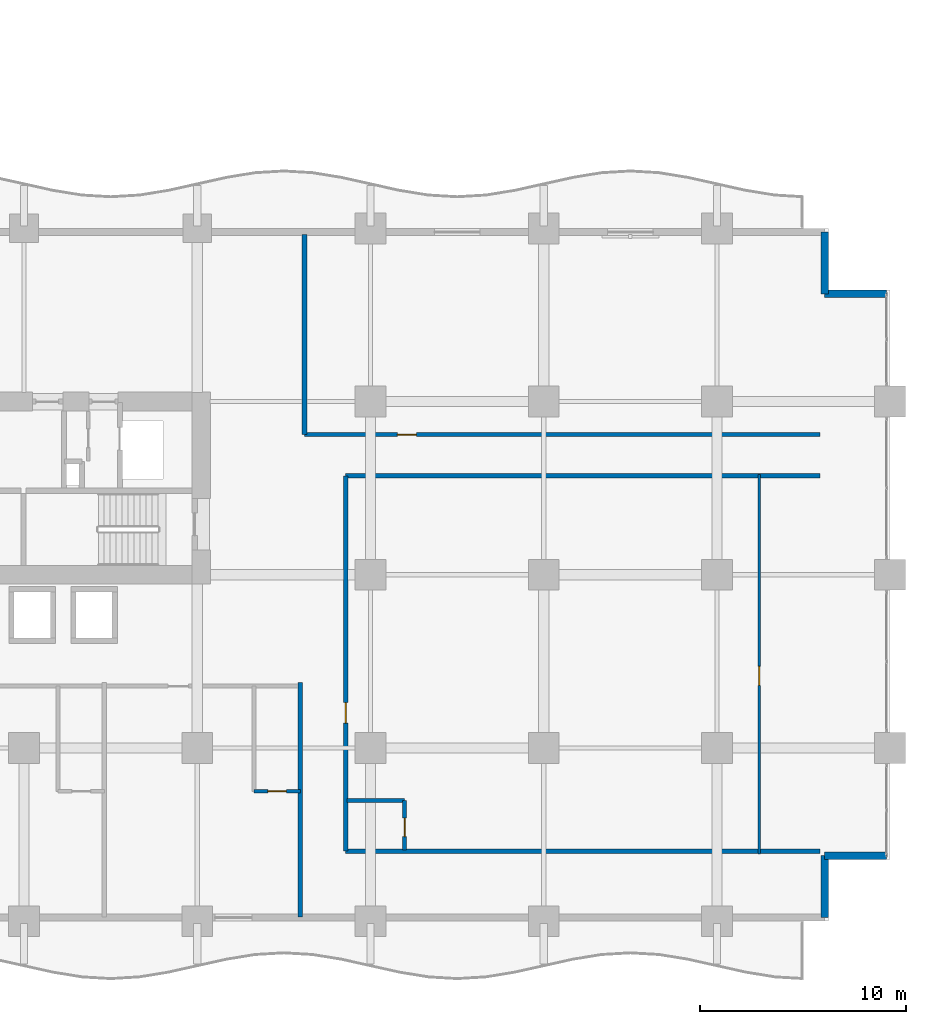
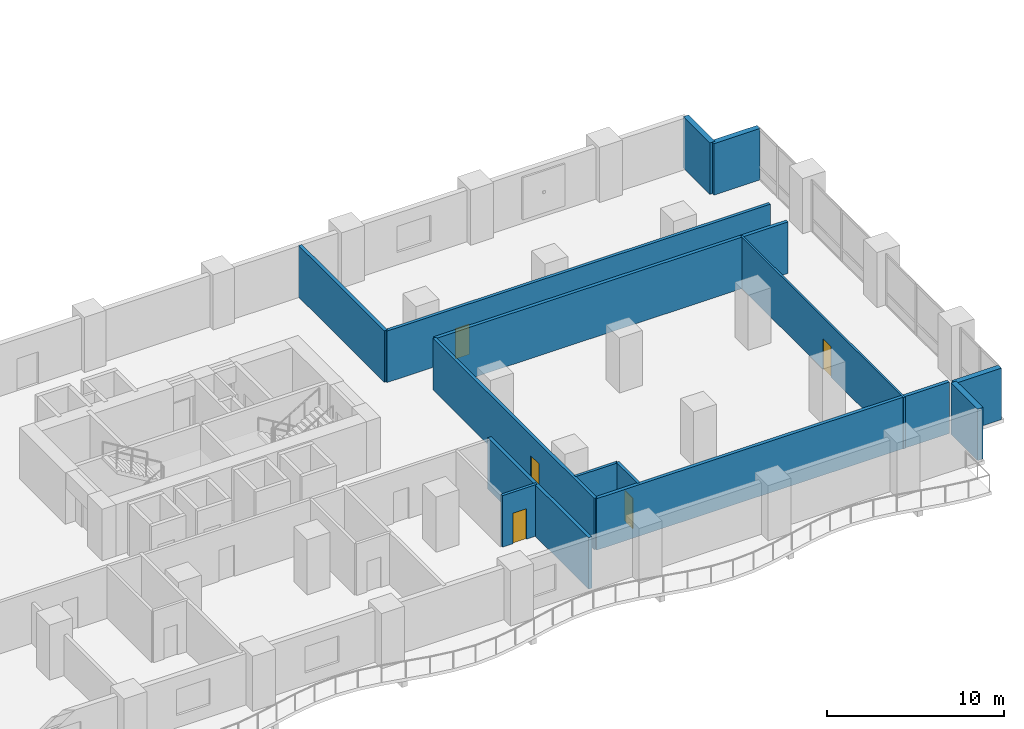
# One storey, part 17 of 27: 14 walls, 5 doors, 5 openings.
"""IFC4 building model written with IfcOpenShell, lengths in metres."""

from ifc_helpers import new_model, si_unit, direction, frame, frame_2d, origin, place, context, subcontext, project, spatial, rectangle, extrude, material, layer, layer_set, type_object, element, fill, save


model = new_model("IFC4")

# Units and contexts
model_context = context("Model", 3, precision=1e-05, world=origin(), true_north=direction((0.0, 1.0)))
body_context = subcontext(model_context, "Body", "Model", "MODEL_VIEW")
ifc_project = project(units=[si_unit("LENGTHUNIT", "METRE"), si_unit("AREAUNIT", "SQUARE_METRE"), si_unit("VOLUMEUNIT", "CUBIC_METRE"), si_unit("PLANEANGLEUNIT", "RADIAN"), si_unit("MASSUNIT", "GRAM", prefix="KILO")], contexts=[model_context])

# Site, building, storey
site_placement = place(None, origin())
site = spatial("IfcSite", under=ifc_project, at=site_placement, CompositionType="ELEMENT")
building_placement = place(site_placement, origin())
building = spatial("IfcBuilding", under=site, at=building_placement, Name="Koriwani Terraces Tower", CompositionType="ELEMENT")
storey_placement = place(building_placement, frame((0.0, 0.0, 54.800048828125)))
storey = spatial("IfcBuildingStorey", under=building, at=storey_placement, Name="L12", CompositionType="ELEMENT", Elevation=54.800048828125)

# Wall, opening, door
ifc_material_1 = material(Name="Autoclaved Cellular Concrete Blockwork", Category="masonry")
ifc_layer_1 = layer(ifc_material_1, 0.199951171875, Name="Autoclaved Cellular Concrete Blockwork")
ifc_layer_set_1 = layer_set([ifc_layer_1], Name="Autoclaved Cellular Concrete Blockwork")
wall_type_1 = type_object("IfcWallType", Name="WALL_CORRIDOR_200", PredefinedType="PARTITIONING", material=ifc_layer_set_1)
wall_1_placement = place(storey_placement, frame((66.0, 3.39990234375, 0.0), z_axis=(0.0, 0.0, 1.0), x_axis=(0.0, 1.0, 0.0)))
wall_1 = element("IfcWall", 1, at=wall_1_placement, inside=storey, type_object=wall_type_1, Name="L12 Interior Wall WGB-L12-ETIP-W", PredefinedType="PARTITIONING", context=body_context, shape_type="SweptSolid", body=[
    extrude(rectangle(XDim=18.2001953125, YDim=0.199951171875, at=frame_2d((9.10009765625, 0.0))), origin(), (0.0, 0.0, 1.0), 3.550048828125),
])
opening_1_placement = place(wall_1_placement, frame((6.199951171875, 0.0, 0.0)))
opening_1 = element("IfcOpeningElement", 2, at=opening_1_placement, cuts=wall_1, Name="Opening D-05", PredefinedType="OPENING", context=body_context, shape_type="SweptSolid", body=[
    extrude(rectangle(XDim=1.0, YDim=2.14990234375, at=frame_2d((0.5, 1.074951171875))), frame((0.0, 0.10986328125, 0.0), z_axis=(0.0, -1.0, 0.0), x_axis=(1.0, 0.0, 0.0)), (0.0, 0.0, 1.0), 0.219970703125),
])
ifc_material_2 = material(Name="Architectural Oak Fire Door", Category="wood")
door_type_1 = type_object("IfcDoorType", Name="DOOR_SUITE_ENTRY_1000X2150", OperationType="NOTDEFINED", PredefinedType="DOOR", material=ifc_material_2)
door_1_placement = place(opening_1_placement, origin())
door_1 = element("IfcDoor", 3, at=door_1_placement, inside=storey, type_object=door_type_1, Name="Ambassador Wing Suite 12E Entrance Door", OperationType="SINGLE_SWING_RIGHT", OverallHeight=2.14990234375, OverallWidth=1.0, PredefinedType="DOOR", context=body_context, shape_type="SweptSolid", body=[
    extrude(rectangle(XDim=1.0, YDim=2.14990234375, at=frame_2d((0.5, 1.074951171875))), frame((0.0, 0.02490234375, 0.0), z_axis=(0.0, -1.0, 0.0), x_axis=(1.0, 0.0, 0.0)), (0.0, 0.0, 1.0), 0.050048828125),
])
fill(opening_1, door_1)

wall_2_placement = place(storey_placement, frame((64.0, 23.60009765625, 0.0), z_axis=(0.0, 0.0, 1.0), x_axis=(1.0, 0.0, 0.0)))
wall_2 = element("IfcWall", 4, at=wall_2_placement, inside=storey, type_object=wall_type_1, Name="L12 Interior Wall WETIP2-S-L12", PredefinedType="PARTITIONING", context=body_context, shape_type="SweptSolid", body=[
    extrude(rectangle(XDim=25.0, YDim=0.199951171875, at=frame_2d((12.5, 0.0))), origin(), (0.0, 0.0, 1.0), 3.550048828125),
])
opening_2_placement = place(wall_2_placement, frame((4.5, 0.0, 0.0)))
opening_2 = element("IfcOpeningElement", 5, at=opening_2_placement, cuts=wall_2, Name="Opening D-06", PredefinedType="OPENING", context=body_context, shape_type="SweptSolid", body=[
    extrude(rectangle(XDim=0.919921875, YDim=2.10009765625, at=frame_2d((0.4599609375, 1.050048828125))), frame((0.0, 0.10986328125, 0.0), z_axis=(0.0, -1.0, 0.0), x_axis=(1.0, 0.0, 0.0)), (0.0, 0.0, 1.0), 0.219970703125),
])
door_type_2 = type_object("IfcDoorType", Name="DOOR_ROOM_INT_920X2100", OperationType="NOTDEFINED", PredefinedType="DOOR", material=ifc_material_2)
door_2_placement = place(opening_2_placement, origin())
door_2 = element("IfcDoor", 6, at=door_2_placement, inside=storey, type_object=door_type_2, Name="L12 East Panorama Salon Door", OperationType="SINGLE_SWING_LEFT", OverallHeight=2.10009765625, OverallWidth=0.919921875, PredefinedType="DOOR", context=body_context, shape_type="SweptSolid", body=[
    extrude(rectangle(XDim=0.919921875, YDim=2.10009765625, at=frame_2d((0.4599609375, 1.050048828125))), frame((0.0, 0.02490234375, 0.0), z_axis=(0.0, -1.0, 0.0), x_axis=(1.0, 0.0, 0.0)), (0.0, 0.0, 1.0), 0.050048828125),
])
fill(opening_2, door_2)

# Walls
ifc_layer_2 = layer(ifc_material_1, 0.219970703125, Name="Autoclaved Cellular Concrete Blockwork")
ifc_layer_set_2 = layer_set([ifc_layer_2], Name="Autoclaved Cellular Concrete Blockwork")
wall_type_2 = type_object("IfcWallType", Name="WALL_DEMISING_220", PredefinedType="PARTITIONING", material=ifc_layer_set_2)
wall_3_placement = place(storey_placement, frame((63.800048828125, 0.199951171875, 0.0), z_axis=(0.0, 0.0, 1.0), x_axis=(0.0, 1.0, 0.0)))
element("IfcWall", 7, at=wall_3_placement, inside=storey, type_object=wall_type_2, Name="L12 Interior Wall WDEME-L12-SW", PredefinedType="PARTITIONING", context=body_context, shape_type="SweptSolid", body=[
    extrude(rectangle(XDim=11.380126953125, YDim=0.219970703125, at=frame_2d((5.68994140625, 0.0))), origin(), (0.0, 0.0, 1.0), 3.550048828125),
])
for number, where, z_axis, x_axis, name in (
    (8, (66.0, 3.39990234375, 0.0), (0.0, 0.0, 1.0), (1.0, 0.0, 0.0), "L12 Interior Wall WGB-L12-ETIP-S"),
    (9, (66.0, 21.60009765625, 0.0), (0.0, 0.0, 1.0), (1.0, 0.0, 0.0), "L12 Interior Wall WGB-L12-ETIP-N"),
):
    element("IfcWall", number, at=place(storey_placement, frame(where, z_axis=z_axis, x_axis=x_axis)), inside=storey, type_object=wall_type_2, Name=name, PredefinedType="PARTITIONING", context=body_context, shape_type="SweptSolid", body=[
        extrude(rectangle(XDim=23.0, YDim=0.219970703125, at=frame_2d((11.5, 0.0))), origin(), (0.0, 0.0, 1.0), 3.550048828125),
    ])
wall_4_placement = place(storey_placement, frame((64.0, 23.60009765625, 0.0), z_axis=(0.0, 0.0, 1.0), x_axis=(0.0, 1.0, 0.0)))
element("IfcWall", 10, at=wall_4_placement, inside=storey, type_object=wall_type_2, Name="L12 Interior Wall WETIP2-W-L12", PredefinedType="PARTITIONING", context=body_context, shape_type="SweptSolid", body=[
    extrude(rectangle(XDim=9.699951171875, YDim=0.219970703125, at=frame_2d((4.85009765625, 0.0))), origin(), (0.0, 0.0, 1.0), 3.550048828125),
])
ifc_material_3 = material(Name="Concrete C50/60", Category="concrete")
ifc_layer_3 = layer(ifc_material_3, 0.35009765625, Name="Concrete C50/60")
ifc_layer_set_3 = layer_set([ifc_layer_3], Name="Concrete C50/60")
wall_type_3 = type_object("IfcWallType", Name="WALL_EXT_BRUTALIST_350", PredefinedType="STANDARD", material=ifc_layer_set_3)
for number, where, z_axis, x_axis, name in (
    (11, (89.22509765625, 33.425048828125, 0.0), (0.0, 0.0, 1.0), (0.0, -1.0, 0.0), "L12 Fair-Faced Brutalist Exterior Wall (N10)"),
    (12, (89.22509765625, 30.425048828125, 0.0), (0.0, 0.0, 1.0), (1.0, 0.0, 0.0), "L12 Fair-Faced Brutalist Exterior Wall (N11)"),
    (13, (92.22509765625, 3.175048828125, 0.0), (0.0, 0.0, 1.0), (-1.0, 0.0, 0.0), "L12 Fair-Faced Brutalist Exterior Wall (N13)"),
    (14, (89.22509765625, 3.175048828125, 0.0), (0.0, 0.0, 1.0), (0.0, -1.0, 0.0), "L12 Fair-Faced Brutalist Exterior Wall (N14)"),
):
    element("IfcWall", number, at=place(storey_placement, frame(where, z_axis=z_axis, x_axis=x_axis)), inside=storey, type_object=wall_type_3, Name=name, PredefinedType="STANDARD", context=body_context, shape_type="SweptSolid", body=[
        extrude(rectangle(XDim=3.0, YDim=0.35009765625, at=frame_2d((1.5, 0.0))), origin(), (0.0, 0.0, 1.0), 3.550048828125),
    ])

# Wall, opening, door
ifc_material_4 = material(Name="Fire-Rated Acoustic Gypsum Partition", Category="masonry")
ifc_layer_4 = layer(ifc_material_4, 0.125, Name="Fire-Rated Acoustic Gypsum Partition")
ifc_layer_set_4 = layer_set([ifc_layer_4], Name="Fire-Rated Acoustic Gypsum Partition")
wall_type_4 = type_object("IfcWallType", Name="WALL_INT_125", PredefinedType="PARTITIONING", material=ifc_layer_set_4)
wall_5_placement = place(storey_placement, frame((86.050048828125, 3.25, 0.0), z_axis=(0.0, 0.0, 1.0), x_axis=(0.0, 1.0, 0.0)))
wall_5 = element("IfcWall", 15, at=wall_5_placement, inside=storey, type_object=wall_type_4, Name="L12 Interior Wall WGB-L12-ETIP-BD", PredefinedType="PARTITIONING", context=body_context, shape_type="SweptSolid", body=[
    extrude(rectangle(XDim=18.39990234375, YDim=0.125, at=frame_2d((9.199951171875, 0.0))), origin(), (0.0, 0.0, 1.0), 3.550048828125),
])
opening_3_placement = place(wall_5_placement, frame((8.18994140625, 0.0, 0.0)))
opening_3 = element("IfcOpeningElement", 16, at=opening_3_placement, cuts=wall_5, Name="Opening D-06", PredefinedType="OPENING", context=body_context, shape_type="SweptSolid", body=[
    extrude(rectangle(XDim=0.919921875, YDim=2.10009765625, at=frame_2d((0.4599609375, 1.050048828125))), frame((0.0, 0.072509765625, 0.0), z_axis=(0.0, -1.0, 0.0), x_axis=(1.0, 0.0, 0.0)), (0.0, 0.0, 1.0), 0.14501953125),
])
door_3_placement = place(opening_3_placement, origin())
door_3 = element("IfcDoor", 17, at=door_3_placement, inside=storey, type_object=door_type_2, Name="Ambassador Wing Suite 12E Master Suite Door", OperationType="SINGLE_SWING_RIGHT", OverallHeight=2.10009765625, OverallWidth=0.919921875, PredefinedType="DOOR", context=body_context, shape_type="SweptSolid", body=[
    extrude(rectangle(XDim=0.919921875, YDim=2.10009765625, at=frame_2d((0.4599609375, 1.050048828125))), frame((0.0, 0.02490234375, 0.0), z_axis=(0.0, -1.0, 0.0), x_axis=(1.0, 0.0, 0.0)), (0.0, 0.0, 1.0), 0.050048828125),
])
fill(opening_3, door_3)

ifc_layer_5 = layer(ifc_material_4, 0.179931640625, Name="Fire-Rated Acoustic Gypsum Partition")
ifc_layer_set_5 = layer_set([ifc_layer_5], Name="Fire-Rated Acoustic Gypsum Partition")
wall_type_5 = type_object("IfcWallType", Name="WALL_PLUMBING_180", PredefinedType="PLUMBINGWALL", material=ifc_layer_set_5)
wall_6_placement = place(storey_placement, frame((61.550048828125, 6.300048828125, 0.0), z_axis=(0.0, 0.0, 1.0), x_axis=(1.0, 0.0, 0.0)))
wall_6 = element("IfcWall", 18, at=wall_6_placement, inside=storey, type_object=wall_type_5, Name="L12 Interior Wall WBTH1-L12-SW-4", PredefinedType="PLUMBINGWALL", context=body_context, shape_type="SweptSolid", body=[
    extrude(rectangle(XDim=2.25, YDim=0.179931640625, at=frame_2d((1.125, 0.0))), origin(), (0.0, 0.0, 1.0), 3.550048828125),
])
opening_4_placement = place(wall_6_placement, frame((0.675048828125, 0.0, 0.0)))
opening_4 = element("IfcOpeningElement", 19, at=opening_4_placement, cuts=wall_6, Name="Opening D-07", PredefinedType="OPENING", context=body_context, shape_type="SweptSolid", body=[
    extrude(rectangle(XDim=0.89990234375, YDim=2.10009765625, at=frame_2d((0.449951171875, 1.050048828125))), frame((0.0, 0.10009765625, 0.0), z_axis=(0.0, -1.0, 0.0), x_axis=(1.0, 0.0, 0.0)), (0.0, 0.0, 1.0), 0.199951171875),
])
door_type_3 = type_object("IfcDoorType", Name="DOOR_BATH_INT_900X2100", OperationType="NOTDEFINED", PredefinedType="DOOR", material=ifc_material_2)
door_4_placement = place(opening_4_placement, origin())
door_4 = element("IfcDoor", 20, at=door_4_placement, inside=storey, type_object=door_type_3, Name="En-Suite Bathroom 12SW5 Door", OperationType="SINGLE_SWING_LEFT", OverallHeight=2.10009765625, OverallWidth=0.89990234375, PredefinedType="DOOR", context=body_context, shape_type="SweptSolid", body=[
    extrude(rectangle(XDim=0.89990234375, YDim=2.10009765625, at=frame_2d((0.449951171875, 1.050048828125))), frame((0.0, 0.02490234375, 0.0), z_axis=(0.0, -1.0, 0.0), x_axis=(1.0, 0.0, 0.0)), (0.0, 0.0, 1.0), 0.050048828125),
])
fill(opening_4, door_4)

wall_7_placement = place(storey_placement, frame((68.85009765625, 3.449951171875, 0.0), z_axis=(0.0, 0.0, 1.0), x_axis=(0.0, 1.0, 0.0)))
wall_7 = element("IfcWall", 21, at=wall_7_placement, inside=storey, type_object=wall_type_5, Name="L12 Interior Wall WGB-L12-ETIP-SVB", PredefinedType="PLUMBINGWALL", context=body_context, shape_type="SweptSolid", body=[
    extrude(rectangle(XDim=2.400146484375, YDim=0.179931640625, at=frame_2d((1.2001953125, 0.0))), origin(), (0.0, 0.0, 1.0), 3.550048828125),
])
opening_5_placement = place(wall_7_placement, frame((0.64990234375, 0.0, 0.0)))
opening_5 = element("IfcOpeningElement", 22, at=opening_5_placement, cuts=wall_7, Name="Opening D-07", PredefinedType="OPENING", context=body_context, shape_type="SweptSolid", body=[
    extrude(rectangle(XDim=0.89990234375, YDim=2.10009765625, at=frame_2d((0.449951171875, 1.050048828125))), frame((0.0, 0.10009765625, 0.0), z_axis=(0.0, -1.0, 0.0), x_axis=(1.0, 0.0, 0.0)), (0.0, 0.0, 1.0), 0.199951171875),
])
door_5_placement = place(opening_5_placement, origin())
door_5 = element("IfcDoor", 23, at=door_5_placement, inside=storey, type_object=door_type_3, Name="Ambassador Wing Suite 12E Bathroom Door", OperationType="SINGLE_SWING_LEFT", OverallHeight=2.10009765625, OverallWidth=0.89990234375, PredefinedType="DOOR", context=body_context, shape_type="SweptSolid", body=[
    extrude(rectangle(XDim=0.89990234375, YDim=2.10009765625, at=frame_2d((0.449951171875, 1.050048828125))), frame((0.0, 0.02490234375, 0.0), z_axis=(0.0, -1.0, 0.0), x_axis=(1.0, 0.0, 0.0)), (0.0, 0.0, 1.0), 0.050048828125),
])
fill(opening_5, door_5)

# Wall
wall_8_placement = place(storey_placement, frame((66.050048828125, 5.85009765625, 0.0), z_axis=(0.0, 0.0, 1.0), x_axis=(1.0, 0.0, 0.0)))
element("IfcWall", 24, at=wall_8_placement, inside=storey, type_object=wall_type_5, Name="L12 Interior Wall WGB-L12-ETIP-SV2", PredefinedType="PLUMBINGWALL", context=body_context, shape_type="SweptSolid", body=[
    extrude(rectangle(XDim=2.800048828125, YDim=0.179931640625, at=frame_2d((1.39990234375, 0.0))), origin(), (0.0, 0.0, 1.0), 3.550048828125),
])

save(model, "model.ifc")
